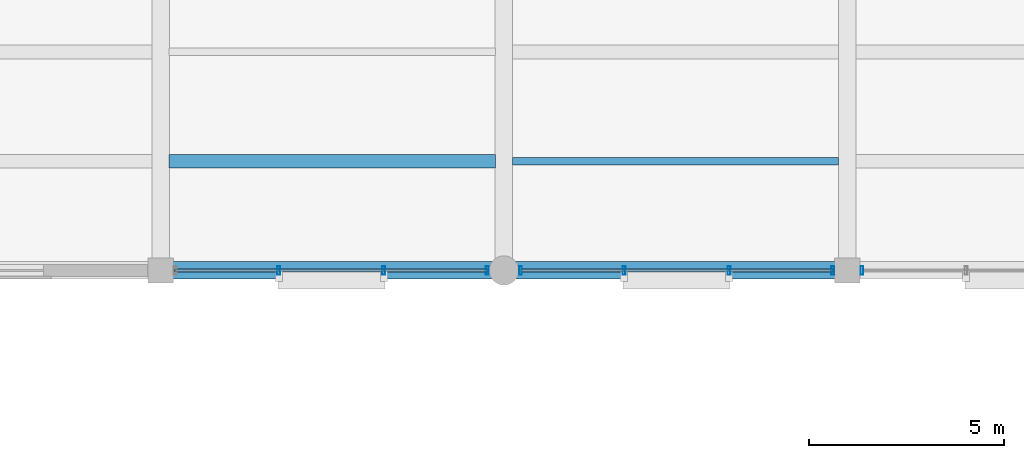
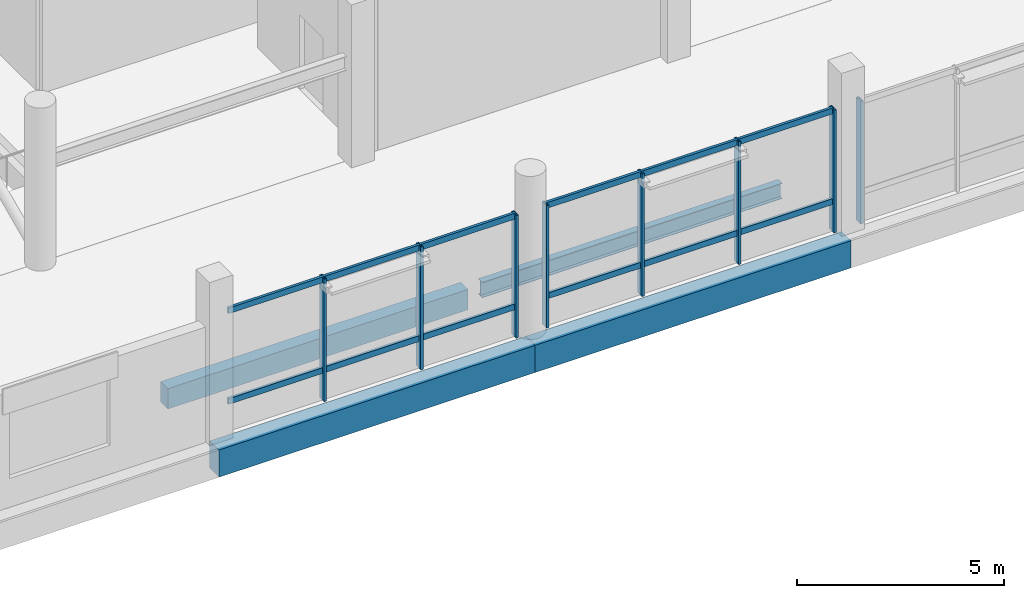
# One storey, part 42 of 71: 20 members, 4 beams, 3 elements without a shape of their own.
"""IFC4 building model written with IfcOpenShell, lengths in metres."""

from ifc_helpers import new_model, si_unit, direction, frame, origin, origin_2d, place, context, subcontext, project, spatial, rectangle, hollow_rectangle, i_section, extrude, material, layer, layer_set, material_profile, profile_set, type_object, element, aggregate, save


model = new_model("IFC4")

# Units and contexts
model_context = context("Model", 3, precision=1e-05, world=origin(), true_north=direction((0.0, 1.0)))
body_context = subcontext(model_context, "Body", "Model", "MODEL_VIEW")
ifc_project = project(units=[si_unit("LENGTHUNIT", "METRE"), si_unit("AREAUNIT", "SQUARE_METRE"), si_unit("VOLUMEUNIT", "CUBIC_METRE"), si_unit("PLANEANGLEUNIT", "RADIAN"), si_unit("MASSUNIT", "GRAM", prefix="KILO")], contexts=[model_context])

# Site, building, storey
site_placement = place(None, origin())
site = spatial("IfcSite", under=ifc_project, at=site_placement, CompositionType="ELEMENT")
building_placement = place(site_placement, origin())
building = spatial("IfcBuilding", under=site, at=building_placement, Name="Meriwether Solvik Hall", CompositionType="ELEMENT")
storey_placement = place(building_placement, frame((0.0, 0.0, 5.10009765625)))
storey = spatial("IfcBuildingStorey", under=building, at=storey_placement, Name="L01", CompositionType="ELEMENT", Elevation=5.10009765625)

# Beams
ifc_material_1 = material(Name="Concrete C40/50", Category="concrete")
ifc_material_profile_1 = material_profile(ifc_material_1, rectangle(XDim=0.35009765625, YDim=0.60009765625, at=origin_2d()), Name="RCB-350X600")
ifc_profile_set_1 = profile_set([ifc_material_profile_1], Name="Concrete C40/50")
beam_type_1 = type_object("IfcBeamType", Name="BM-RC-350X600", PredefinedType="JOIST", material=ifc_profile_set_1)
beam_1_placement = place(storey_placement, frame((132.02001953125, 52.800048828125, -0.60009765625), z_axis=(1.0, 0.0, 0.0), x_axis=(0.0, 1.0, 0.0)))
element("IfcBeam", 1, at=beam_1_placement, inside=storey, type_object=beam_type_1, Name="Secondary Floor Joist 15/F_J1 (L01)", PredefinedType="JOIST", context=body_context, shape_type="SweptSolid", body=[
    extrude(rectangle(XDim=0.35009765625, YDim=0.60009765625, at=origin_2d()), origin(), (0.0, 0.0, 1.0), 8.35986328125),
])
ifc_material_2 = material(Name="Concrete C40/50", Category="concrete")
ifc_material_profile_2 = material_profile(ifc_material_2, rectangle(XDim=0.449951171875, YDim=0.800048828125, at=origin_2d()), Name="RCB-450X800")
ifc_profile_set_2 = profile_set([ifc_material_profile_2], Name="Concrete C40/50")
beam_type_2 = type_object("IfcBeamType", Name="BM-RC-450X800", PredefinedType="BEAM", material=ifc_profile_set_2)
beam_2_placement = place(storey_placement, frame((131.800048828125, 50.0, -0.7001953125), z_axis=(1.0, 0.0, 0.0), x_axis=(0.0, 1.0, 0.0)))
element("IfcBeam", 2, at=beam_2_placement, inside=storey, type_object=beam_type_2, Name="Podium Girder F:15-16 (L01)", PredefinedType="BEAM", context=body_context, shape_type="SweptSolid", body=[
    extrude(rectangle(XDim=0.449951171875, YDim=0.800048828125, at=origin_2d()), origin(), (0.0, 0.0, 1.0), 8.800048828125),
])
beam_3_placement = place(storey_placement, frame((140.60009765625, 50.0, -0.7001953125), z_axis=(1.0, 0.0, 0.0), x_axis=(0.0, 1.0, 0.0)))
element("IfcBeam", 3, at=beam_3_placement, inside=storey, type_object=beam_type_2, Name="Podium Girder F:16-17 (L01)", PredefinedType="BEAM", context=body_context, shape_type="SweptSolid", body=[
    extrude(rectangle(XDim=0.449951171875, YDim=0.800048828125, at=origin_2d()), origin(), (0.0, 0.0, 1.0), 8.7998046875),
])
ifc_material_3 = material(Name="Steel A992 Grade 50", Category="steel")
ifc_material_profile_3 = material_profile(ifc_material_3, i_section(OverallWidth=0.19091796875, OverallDepth=0.45703125, WebThickness=0.009033203125, FlangeThickness=0.014404296875, at=origin_2d()), Name="W18X50")
ifc_profile_set_3 = profile_set([ifc_material_profile_3], Name="Steel A992 Grade 50")
beam_type_3 = type_object("IfcBeamType", Name="BM-STL-W18X50", PredefinedType="JOIST", material=ifc_profile_set_3)
beam_4_placement = place(storey_placement, frame((140.820068359375, 52.800048828125, -0.528564453125), z_axis=(1.0, 0.0, 0.0), x_axis=(0.0, 1.0, 0.0)))
element("IfcBeam", 4, at=beam_4_placement, inside=storey, type_object=beam_type_3, Name="Secondary Floor Joist 16/F_J1 (L01)", PredefinedType="JOIST", context=body_context, shape_type="SweptSolid", body=[
    extrude(i_section(OverallWidth=0.19091796875, OverallDepth=0.45703125, WebThickness=0.009033203125, FlangeThickness=0.014404296875, at=origin_2d()), origin(), (0.0, 0.0, 1.0), 8.35986328125),
])

# Curtain wall, members
ifc_material_4 = material(Name="Thermally Broken Anodised Aluminium 6063-T6 and Low-E Glass", Category="aluminium")
ifc_layer = layer(ifc_material_4, 0.179931640625)
ifc_layer_set = layer_set([ifc_layer], Name="Thermally Broken Anodised Aluminium 6063-T6 and Low-E Glass")
curtain_wall_type = type_object("IfcCurtainWallType", Name="CW-SF-POD-B", PredefinedType="USERDEFINED", material=ifc_layer_set)
curtain_wall_1_placement = place(storey_placement, origin())
curtain_wall_1 = element("IfcCurtainWall", 5, at=curtain_wall_1_placement, inside=storey, type_object=curtain_wall_type, Name="Curtain Wall wing_XF_15_14 (L01)", ObjectType="STICK STOREFRONT GLAZING", PredefinedType="USERDEFINED")
ifc_material_5 = material(Name="Anodised Aluminium 6063-T6", Category="aluminium")
ifc_material_profile_4 = material_profile(ifc_material_5, hollow_rectangle(XDim=0.074951171875, YDim=0.219970703125, WallThickness=0.005615234375, at=origin_2d()), Name="CWM-75X220")
ifc_profile_set_4 = profile_set([ifc_material_profile_4], Name="Anodised Aluminium 6063-T6")
member_type_1 = type_object("IfcMemberType", Name="CW-MUL-75X220", PredefinedType="MULLION", material=ifc_profile_set_4)
member_1_placement = place(storey_placement, frame((140.175048828125, 50.0, 0.0), z_axis=(0.0, 0.0, 1.0), x_axis=(-1.0, 0.0, 0.0)))
member_1 = element("IfcMember", 6, at=member_1_placement, type_object=member_type_1, Name="Curtain Wall Mullion 1", PredefinedType="MULLION", context=body_context, shape_type="SweptSolid", body=[
    extrude(hollow_rectangle(XDim=0.074951171875, YDim=0.219970703125, WallThickness=0.005615234375, at=origin_2d()), origin(), (0.0, 0.0, 1.0), 3.60986328125),
])
member_2_placement = place(storey_placement, frame((137.52099609375, 50.0, 0.0), z_axis=(0.0, 0.0, 1.0), x_axis=(-1.0, 0.0, 0.0)))
member_2 = element("IfcMember", 7, at=member_2_placement, type_object=member_type_1, Name="Curtain Wall Mullion 2", PredefinedType="MULLION", context=body_context, shape_type="SweptSolid", body=[
    extrude(hollow_rectangle(XDim=0.074951171875, YDim=0.219970703125, WallThickness=0.005615234375, at=origin_2d()), origin(), (0.0, 0.0, 1.0), 3.60986328125),
])
member_3_placement = place(storey_placement, frame((134.8291015625, 50.0, 0.0), z_axis=(0.0, 0.0, 1.0), x_axis=(-1.0, 0.0, 0.0)))
member_3 = element("IfcMember", 8, at=member_3_placement, type_object=member_type_1, Name="Curtain Wall Mullion 3", PredefinedType="MULLION", context=body_context, shape_type="SweptSolid", body=[
    extrude(hollow_rectangle(XDim=0.074951171875, YDim=0.219970703125, WallThickness=0.005615234375, at=origin_2d()), origin(), (0.0, 0.0, 1.0), 3.60986328125),
])

curtain_wall_2_placement = place(storey_placement, origin())
curtain_wall_2 = element("IfcCurtainWall", 9, at=curtain_wall_2_placement, inside=storey, type_object=curtain_wall_type, Name="Curtain Wall wing_XF_16_15 (L01)", ObjectType="STICK STOREFRONT GLAZING", PredefinedType="USERDEFINED")
member_4_placement = place(storey_placement, frame((149.02490234375, 50.0, 0.0), z_axis=(0.0, 0.0, 1.0), x_axis=(-1.0, 0.0, 0.0)))
member_4 = element("IfcMember", 10, at=member_4_placement, type_object=member_type_1, Name="Curtain Wall Mullion 1", PredefinedType="MULLION", context=body_context, shape_type="SweptSolid", body=[
    extrude(hollow_rectangle(XDim=0.074951171875, YDim=0.219970703125, WallThickness=0.005615234375, at=origin_2d()), origin(), (0.0, 0.0, 1.0), 3.60986328125),
])
member_5_placement = place(storey_placement, frame((146.37109375, 50.0, 0.0), z_axis=(0.0, 0.0, 1.0), x_axis=(-1.0, 0.0, 0.0)))
member_5 = element("IfcMember", 11, at=member_5_placement, type_object=member_type_1, Name="Curtain Wall Mullion 2", PredefinedType="MULLION", context=body_context, shape_type="SweptSolid", body=[
    extrude(hollow_rectangle(XDim=0.074951171875, YDim=0.219970703125, WallThickness=0.005615234375, at=origin_2d()), origin(), (0.0, 0.0, 1.0), 3.60986328125),
])
member_6_placement = place(storey_placement, frame((143.678955078125, 50.0, 0.0), z_axis=(0.0, 0.0, 1.0), x_axis=(-1.0, 0.0, 0.0)))
member_6 = element("IfcMember", 12, at=member_6_placement, type_object=member_type_1, Name="Curtain Wall Mullion 3", PredefinedType="MULLION", context=body_context, shape_type="SweptSolid", body=[
    extrude(hollow_rectangle(XDim=0.074951171875, YDim=0.219970703125, WallThickness=0.005615234375, at=origin_2d()), origin(), (0.0, 0.0, 1.0), 3.60986328125),
])
member_7_placement = place(storey_placement, frame((141.02490234375, 50.0, 0.0), z_axis=(0.0, 0.0, 1.0), x_axis=(-1.0, 0.0, 0.0)))
member_7 = element("IfcMember", 13, at=member_7_placement, type_object=member_type_1, Name="Curtain Wall Mullion 4", PredefinedType="MULLION", context=body_context, shape_type="SweptSolid", body=[
    extrude(hollow_rectangle(XDim=0.074951171875, YDim=0.219970703125, WallThickness=0.005615234375, at=origin_2d()), origin(), (0.0, 0.0, 1.0), 3.60986328125),
])

# Curtain wall, member
curtain_wall_3_placement = place(storey_placement, origin())
curtain_wall_3 = element("IfcCurtainWall", 14, at=curtain_wall_3_placement, inside=storey, type_object=curtain_wall_type, Name="Curtain Wall wing_XF_17_16 (L01)", ObjectType="STICK STOREFRONT GLAZING", PredefinedType="USERDEFINED")
member_8_placement = place(storey_placement, frame((149.77490234375, 50.0, 0.0), z_axis=(0.0, 0.0, 1.0), x_axis=(-1.0, 0.0, 0.0)))
member_8 = element("IfcMember", 15, at=member_8_placement, type_object=member_type_1, Name="Curtain Wall Mullion 4", PredefinedType="MULLION", context=body_context, shape_type="SweptSolid", body=[
    extrude(hollow_rectangle(XDim=0.074951171875, YDim=0.219970703125, WallThickness=0.005615234375, at=origin_2d()), origin(), (0.0, 0.0, 1.0), 3.60986328125),
])
aggregate(curtain_wall_3, [member_8])

# Member
ifc_material_6 = material(Name="Anodised Aluminium 6063-T6", Category="aluminium")
ifc_material_profile_5 = material_profile(ifc_material_6, hollow_rectangle(XDim=0.074951171875, YDim=0.169921875, WallThickness=0.005615234375, at=origin_2d()), Name="CWT-75X170")
ifc_profile_set_5 = profile_set([ifc_material_profile_5], Name="Anodised Aluminium 6063-T6")
member_type_2 = type_object("IfcMemberType", Name="CW-TRN-75X170", PredefinedType="USERDEFINED", material=ifc_profile_set_5)
member_9_placement = place(storey_placement, frame((140.175048828125, 50.0, 0.8798828125), z_axis=(-1.0, 0.0, 0.0), x_axis=(0.0, -1.0, 0.0)))
member_9 = element("IfcMember", 16, at=member_9_placement, type_object=member_type_2, Name="Curtain Wall Transom 1-sill", ObjectType="TRANSOM", PredefinedType="USERDEFINED", context=body_context, shape_type="SweptSolid", body=[
    extrude(hollow_rectangle(XDim=0.074951171875, YDim=0.169921875, WallThickness=0.005615234375, at=origin_2d()), origin(), (0.0, 0.0, 1.0), 2.654052734375),
])

member_10_placement = place(storey_placement, frame((140.175048828125, 50.0, 3.5498046875), z_axis=(-1.0, 0.0, 0.0), x_axis=(0.0, -1.0, 0.0)))
member_10 = element("IfcMember", 17, at=member_10_placement, type_object=member_type_2, Name="Curtain Wall Transom 1-head", ObjectType="TRANSOM", PredefinedType="USERDEFINED", context=body_context, shape_type="SweptSolid", body=[
    extrude(hollow_rectangle(XDim=0.074951171875, YDim=0.169921875, WallThickness=0.005615234375, at=origin_2d()), origin(), (0.0, 0.0, 1.0), 2.654052734375),
])

member_11_placement = place(storey_placement, frame((137.52099609375, 50.0, 0.8798828125), z_axis=(-1.0, 0.0, 0.0), x_axis=(0.0, -1.0, 0.0)))
member_11 = element("IfcMember", 18, at=member_11_placement, type_object=member_type_2, Name="Curtain Wall Transom 2-sill", ObjectType="TRANSOM", PredefinedType="USERDEFINED", context=body_context, shape_type="SweptSolid", body=[
    extrude(hollow_rectangle(XDim=0.074951171875, YDim=0.169921875, WallThickness=0.005615234375, at=origin_2d()), origin(), (0.0, 0.0, 1.0), 2.69189453125),
])

member_12_placement = place(storey_placement, frame((137.52099609375, 50.0, 3.5498046875), z_axis=(-1.0, 0.0, 0.0), x_axis=(0.0, -1.0, 0.0)))
member_12 = element("IfcMember", 19, at=member_12_placement, type_object=member_type_2, Name="Curtain Wall Transom 2-head", ObjectType="TRANSOM", PredefinedType="USERDEFINED", context=body_context, shape_type="SweptSolid", body=[
    extrude(hollow_rectangle(XDim=0.074951171875, YDim=0.169921875, WallThickness=0.005615234375, at=origin_2d()), origin(), (0.0, 0.0, 1.0), 2.69189453125),
])

member_13_placement = place(storey_placement, frame((134.8291015625, 50.0, 0.8798828125), z_axis=(-1.0, 0.0, 0.0), x_axis=(0.0, -1.0, 0.0)))
member_13 = element("IfcMember", 20, at=member_13_placement, type_object=member_type_2, Name="Curtain Wall Transom 3-sill", ObjectType="TRANSOM", PredefinedType="USERDEFINED", context=body_context, shape_type="SweptSolid", body=[
    extrude(hollow_rectangle(XDim=0.074951171875, YDim=0.169921875, WallThickness=0.005615234375, at=origin_2d()), origin(), (0.0, 0.0, 1.0), 2.654052734375),
])

member_14_placement = place(storey_placement, frame((134.8291015625, 50.0, 3.5498046875), z_axis=(-1.0, 0.0, 0.0), x_axis=(0.0, -1.0, 0.0)))
member_14 = element("IfcMember", 21, at=member_14_placement, type_object=member_type_2, Name="Curtain Wall Transom 3-head", ObjectType="TRANSOM", PredefinedType="USERDEFINED", context=body_context, shape_type="SweptSolid", body=[
    extrude(hollow_rectangle(XDim=0.074951171875, YDim=0.169921875, WallThickness=0.005615234375, at=origin_2d()), origin(), (0.0, 0.0, 1.0), 2.654052734375),
])

aggregate(curtain_wall_1, [member_1, member_2, member_3, member_9, member_10, member_11, member_12, member_13, member_14])

member_15_placement = place(storey_placement, frame((149.02490234375, 50.0, 0.8798828125), z_axis=(-1.0, 0.0, 0.0), x_axis=(0.0, -1.0, 0.0)))
member_15 = element("IfcMember", 22, at=member_15_placement, type_object=member_type_2, Name="Curtain Wall Transom 1-sill", ObjectType="TRANSOM", PredefinedType="USERDEFINED", context=body_context, shape_type="SweptSolid", body=[
    extrude(hollow_rectangle(XDim=0.074951171875, YDim=0.169921875, WallThickness=0.005615234375, at=origin_2d()), origin(), (0.0, 0.0, 1.0), 2.65380859375),
])

member_16_placement = place(storey_placement, frame((149.02490234375, 50.0, 3.5498046875), z_axis=(-1.0, 0.0, 0.0), x_axis=(0.0, -1.0, 0.0)))
member_16 = element("IfcMember", 23, at=member_16_placement, type_object=member_type_2, Name="Curtain Wall Transom 1-head", ObjectType="TRANSOM", PredefinedType="USERDEFINED", context=body_context, shape_type="SweptSolid", body=[
    extrude(hollow_rectangle(XDim=0.074951171875, YDim=0.169921875, WallThickness=0.005615234375, at=origin_2d()), origin(), (0.0, 0.0, 1.0), 2.65380859375),
])

member_17_placement = place(storey_placement, frame((146.37109375, 50.0, 0.8798828125), z_axis=(-1.0, 0.0, 0.0), x_axis=(0.0, -1.0, 0.0)))
member_17 = element("IfcMember", 24, at=member_17_placement, type_object=member_type_2, Name="Curtain Wall Transom 2-sill", ObjectType="TRANSOM", PredefinedType="USERDEFINED", context=body_context, shape_type="SweptSolid", body=[
    extrude(hollow_rectangle(XDim=0.074951171875, YDim=0.169921875, WallThickness=0.005615234375, at=origin_2d()), origin(), (0.0, 0.0, 1.0), 2.692138671875),
])

member_18_placement = place(storey_placement, frame((146.37109375, 50.0, 3.5498046875), z_axis=(-1.0, 0.0, 0.0), x_axis=(0.0, -1.0, 0.0)))
member_18 = element("IfcMember", 25, at=member_18_placement, type_object=member_type_2, Name="Curtain Wall Transom 2-head", ObjectType="TRANSOM", PredefinedType="USERDEFINED", context=body_context, shape_type="SweptSolid", body=[
    extrude(hollow_rectangle(XDim=0.074951171875, YDim=0.169921875, WallThickness=0.005615234375, at=origin_2d()), origin(), (0.0, 0.0, 1.0), 2.692138671875),
])

member_19_placement = place(storey_placement, frame((143.678955078125, 50.0, 0.8798828125), z_axis=(-1.0, 0.0, 0.0), x_axis=(0.0, -1.0, 0.0)))
member_19 = element("IfcMember", 26, at=member_19_placement, type_object=member_type_2, Name="Curtain Wall Transom 3-sill", ObjectType="TRANSOM", PredefinedType="USERDEFINED", context=body_context, shape_type="SweptSolid", body=[
    extrude(hollow_rectangle(XDim=0.074951171875, YDim=0.169921875, WallThickness=0.005615234375, at=origin_2d()), origin(), (0.0, 0.0, 1.0), 2.654052734375),
])

member_20_placement = place(storey_placement, frame((143.678955078125, 50.0, 3.5498046875), z_axis=(-1.0, 0.0, 0.0), x_axis=(0.0, -1.0, 0.0)))
member_20 = element("IfcMember", 27, at=member_20_placement, type_object=member_type_2, Name="Curtain Wall Transom 3-head", ObjectType="TRANSOM", PredefinedType="USERDEFINED", context=body_context, shape_type="SweptSolid", body=[
    extrude(hollow_rectangle(XDim=0.074951171875, YDim=0.169921875, WallThickness=0.005615234375, at=origin_2d()), origin(), (0.0, 0.0, 1.0), 2.654052734375),
])

aggregate(curtain_wall_2, [member_4, member_5, member_6, member_7, member_15, member_16, member_17, member_18, member_19, member_20])

save(model, "model.ifc")
